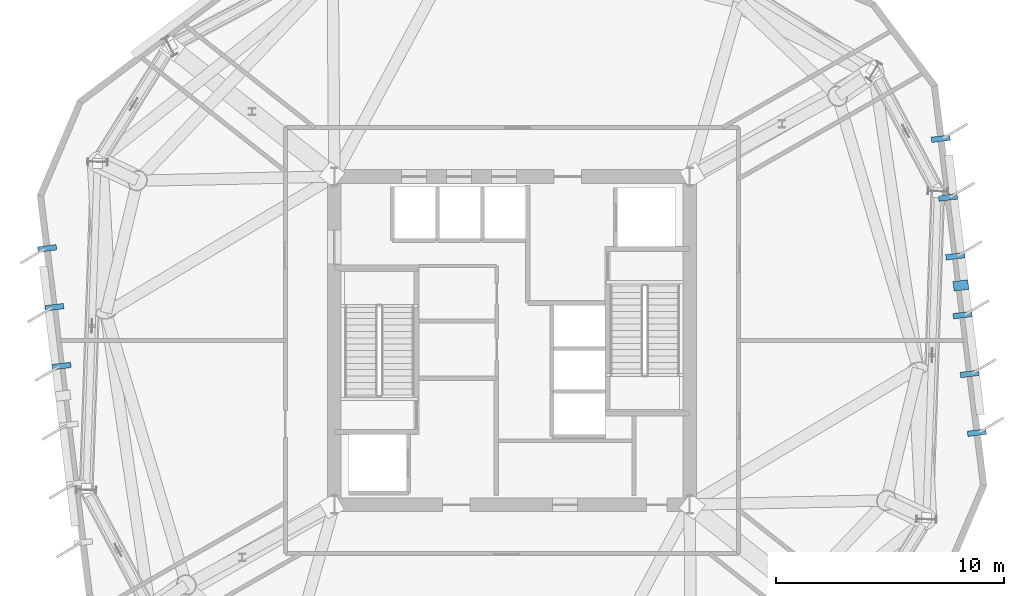
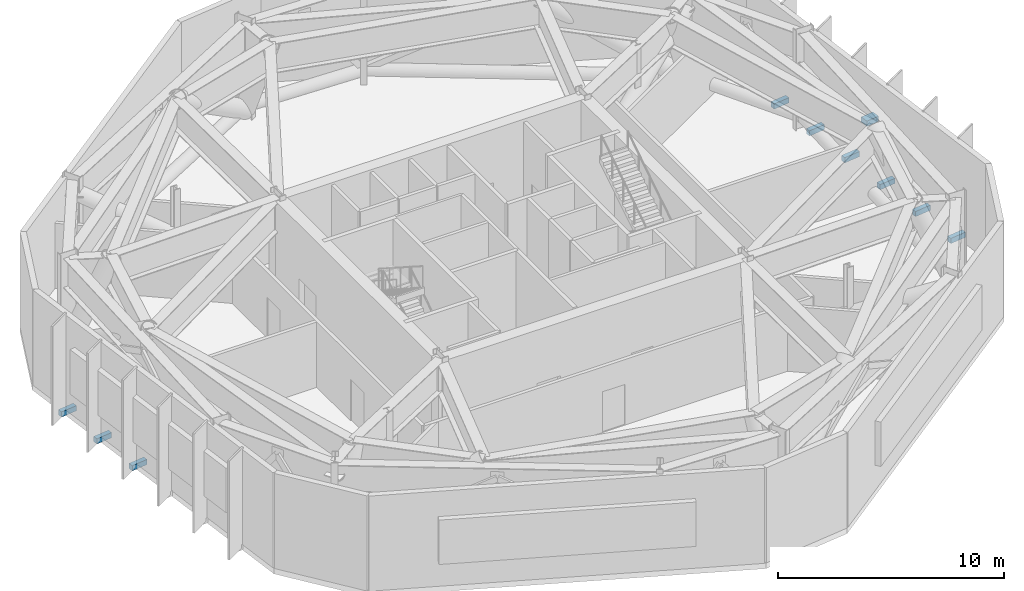
# One storey, part 8 of 11: 10 discrete accessories.
"""IFC4 building model written with IfcOpenShell, lengths in metres."""

from ifc_helpers import new_model, si_unit, direction, frame, origin, origin_2d, place, context, subcontext, project, spatial, rectangle, extrude, material, type_object, element, save


model = new_model("IFC4")

# Units and contexts
model_context = context("Model", 3, precision=1e-05, world=origin(), true_north=direction((0.0, 1.0)))
body_context = subcontext(model_context, "Body", "Model", "MODEL_VIEW")
ifc_project = project(units=[si_unit("LENGTHUNIT", "METRE"), si_unit("AREAUNIT", "SQUARE_METRE"), si_unit("VOLUMEUNIT", "CUBIC_METRE"), si_unit("PLANEANGLEUNIT", "RADIAN"), si_unit("MASSUNIT", "GRAM", prefix="KILO")], contexts=[model_context])

# Site, building, storey
site_placement = place(None, origin())
site = spatial("IfcSite", under=ifc_project, at=site_placement, CompositionType="ELEMENT")
building_placement = place(site_placement, origin())
building = spatial("IfcBuilding", under=site, at=building_placement, Name="Kranzbogen Civic Tower", CompositionType="ELEMENT")
storey_placement = place(building_placement, frame((0.0, 0.0, 170.39990234375)))
storey = spatial("IfcBuildingStorey", under=building, at=storey_placement, Name="L41", CompositionType="ELEMENT", Elevation=170.39990234375)

# Discrete accessories
ifc_material = material(Name="Steel S355", Category="steel")
discrete_accessory_type = type_object("IfcDiscreteAccessoryType", Name="Structural Curtain-Wall Fin Support Bracket", PredefinedType="BRACKET", material=ifc_material)
for number, where, z_axis, x_axis, name in (
    (1, (4.594970703125, 29.0439453125, -0.25), (0.0, 0.0, 1.0), (-0.992546151641, -0.121869343405, 0.0), "L41 facade fin support bracket F3-1"),
    (2, (4.912109375, 26.462890625, -0.25), (0.0, 0.0, 1.0), (-0.992546151641, -0.121869343405, 0.0), "L41 facade fin support bracket F3-2"),
    (3, (5.22900390625, 23.882080078125, -0.25), (0.0, 0.0, 1.0), (-0.992546151641, -0.121869343405, 0.0), "L41 facade fin support bracket F3-3"),
):
    element("IfcDiscreteAccessory", number, at=place(storey_placement, frame(where, z_axis=z_axis, x_axis=x_axis)), inside=storey, type_object=discrete_accessory_type, Name=name, PredefinedType="BRACKET", context=body_context, shape_type="SweptSolid", body=[
        extrude(rectangle(XDim=0.820068359375, YDim=0.239990234375, at=origin_2d()), origin(), (0.0, 0.0, 1.0), 0.280029296875),
    ])
discrete_accessory_placement = place(storey_placement, frame((44.7041015625, 27.4189453125, 2.43017578125), z_axis=(0.0, 0.0, 1.0), x_axis=(0.992546151641, 0.121869343405, 0.0)))
element("IfcDiscreteAccessory", 4, at=discrete_accessory_placement, inside=storey, type_object=discrete_accessory_type, Name="L41 louvre mounting bracket 6", PredefinedType="BRACKET", context=body_context, shape_type="SweptSolid", body=[
    extrude(rectangle(XDim=0.64990234375, YDim=0.419921875, at=origin_2d()), origin(), (0.0, 0.0, 1.0), 0.280029296875),
])
for number, where, z_axis, x_axis, name in (
    (5, (45.405029296875, 20.9560546875, -0.25), (0.0, 0.0, 1.0), (0.992546151641, 0.121869343405, 0.0), "L41 facade fin support bracket F6-1"),
    (6, (45.087890625, 23.537109375, -0.25), (0.0, 0.0, 1.0), (0.992546151641, 0.121869343405, 0.0), "L41 facade fin support bracket F6-2"),
    (7, (44.77099609375, 26.117919921875, -0.25), (0.0, 0.0, 1.0), (0.992546151641, 0.121869343405, 0.0), "L41 facade fin support bracket F6-3"),
    (8, (44.4541015625, 28.697998046875, -0.25), (0.0, 0.0, 1.0), (0.992546151641, 0.121869343405, 0.0), "L41 facade fin support bracket F6-4"),
    (9, (44.136962890625, 31.279052734375, -0.25), (0.0, 0.0, 1.0), (0.992546151641, 0.121869343405, 0.0), "L41 facade fin support bracket F6-5"),
    (10, (43.820068359375, 33.85888671875, -0.25), (0.0, 0.0, 1.0), (0.992546151641, 0.121869343405, 0.0), "L41 facade fin support bracket F6-6"),
):
    element("IfcDiscreteAccessory", number, at=place(storey_placement, frame(where, z_axis=z_axis, x_axis=x_axis)), inside=storey, type_object=discrete_accessory_type, Name=name, PredefinedType="BRACKET", context=body_context, shape_type="SweptSolid", body=[
        extrude(rectangle(XDim=0.820068359375, YDim=0.239990234375, at=origin_2d()), origin(), (0.0, 0.0, 1.0), 0.280029296875),
    ])

save(model, "model.ifc")
